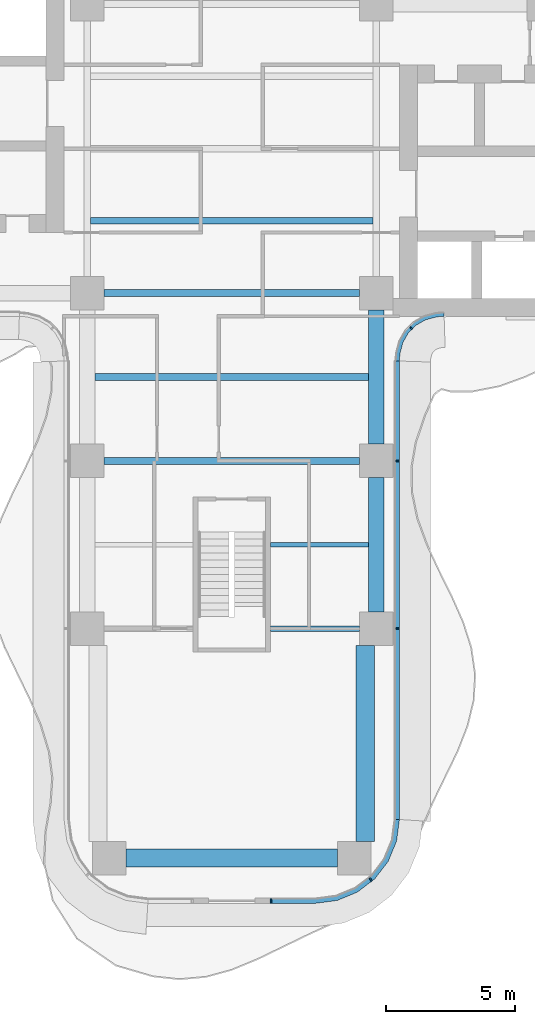
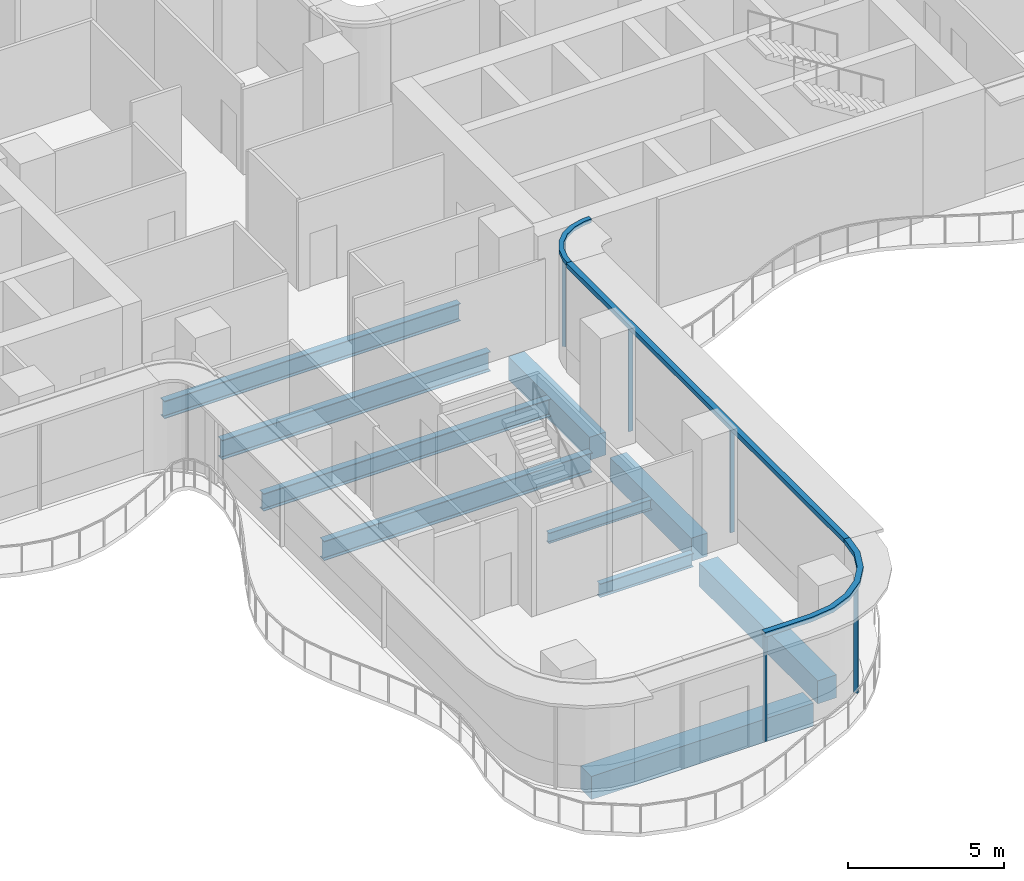
# One storey, part 5 of 21: 10 beams, 8 members, 3 elements without a shape of their own.
"""IFC4 building model written with IfcOpenShell, lengths in metres."""

from ifc_helpers import new_model, si_unit, direction, frame, origin, origin_2d, place, context, subcontext, project, spatial, polyline, rectangle, i_section, outline, extrude, source, transform, mapped, material, layer, layer_set, material_profile, profile_set, type_object, element, aggregate, save


model = new_model("IFC4")

# Units and contexts
model_context = context("Model", 3, precision=1e-05, world=origin(), true_north=direction((0.0, 1.0)))
body_context = subcontext(model_context, "Body", "Model", "MODEL_VIEW")
ifc_project = project(units=[si_unit("LENGTHUNIT", "METRE"), si_unit("AREAUNIT", "SQUARE_METRE"), si_unit("VOLUMEUNIT", "CUBIC_METRE"), si_unit("PLANEANGLEUNIT", "RADIAN"), si_unit("MASSUNIT", "GRAM", prefix="KILO")], contexts=[model_context])

# Site, building, storey
site_placement = place(None, origin())
site = spatial("IfcSite", under=ifc_project, at=site_placement, CompositionType="ELEMENT")
building_placement = place(site_placement, origin())
building = spatial("IfcBuilding", under=site, at=building_placement, Name="Trellis Farm Tower", CompositionType="ELEMENT")
storey_placement = place(building_placement, frame((0.0, 0.0, 102.0)))
storey = spatial("IfcBuildingStorey", under=building, at=storey_placement, Name="L21", CompositionType="ELEMENT", Elevation=102.0)

# Beams
ifc_material_1 = material(Name="Steel S355", Category="steel")
ifc_material_profile_1 = material_profile(ifc_material_1, i_section(OverallWidth=0.253662109375, OverallDepth=0.68359375, WebThickness=0.012451171875, FlangeThickness=0.021728515625, FilletRadius=0.01513671875, at=origin_2d()), Name="UB 686x254x140")
ifc_profile_set_1 = profile_set([ifc_material_profile_1], Name="Steel S355")
beam_type_1 = type_object("IfcBeamType", Name="UB 686x254x140 joist", PredefinedType="JOIST", material=ifc_profile_set_1)
shared_shape_1 = source(origin(), body_context, "Body", "SweptSolid", [
    extrude(i_section(OverallWidth=0.253662109375, OverallDepth=0.68359375, WebThickness=0.012451171875, FlangeThickness=0.021728515625, FilletRadius=0.01513671875, at=origin_2d()), origin(), (0.0, 0.0, 1.0), 10.93310546875),
])
beam_1_placement = place(storey_placement, frame((-5.466552734375, -2.800048828125, -0.591796875), z_axis=(1.0, 0.0, 0.0), x_axis=(0.0, 1.0, 0.0)))
element("IfcBeam", 1, at=beam_1_placement, inside=storey, type_object=beam_type_1, Name="Floor beam", PredefinedType="JOIST", context=body_context, shape_type="MappedRepresentation", body=[
    mapped(shared_shape_1, transform((0.0, 0.0, 0.0))),
])
ifc_material_profile_2 = material_profile(ifc_material_1, i_section(OverallWidth=0.177978515625, OverallDepth=0.406494140625, WebThickness=0.0078125, FlangeThickness=0.0126953125, FilletRadius=0.01025390625, at=origin_2d()), Name="UB 406x178x60")
ifc_profile_set_2 = profile_set([ifc_material_profile_2], Name="Steel S355")
beam_type_2 = type_object("IfcBeamType", Name="UB 406x178x60 joist", PredefinedType="JOIST", material=ifc_profile_set_2)
shared_shape_2 = source(origin(), body_context, "Body", "SweptSolid", [
    extrude(i_section(OverallWidth=0.177978515625, OverallDepth=0.406494140625, WebThickness=0.0078125, FlangeThickness=0.0126953125, FilletRadius=0.01025390625, at=origin_2d()), origin(), (0.0, 0.0, 1.0), 3.800048828125),
])
beam_2_placement = place(storey_placement, frame((1.5, -15.35009765625, -0.453125), z_axis=(1.0, 0.0, 0.0), x_axis=(0.0, 1.0, 0.0)))
element("IfcBeam", 2, at=beam_2_placement, inside=storey, type_object=beam_type_2, Name="Floor beam", PredefinedType="JOIST", context=body_context, shape_type="MappedRepresentation", body=[
    mapped(shared_shape_2, transform((0.0, 0.0, 0.0))),
])
shared_shape_3 = source(origin(), body_context, "Body", "SweptSolid", [
    extrude(i_section(OverallWidth=0.253662109375, OverallDepth=0.68359375, WebThickness=0.012451171875, FlangeThickness=0.021728515625, FilletRadius=0.01513671875, at=origin_2d()), origin(), (0.0, 0.0, 1.0), 10.60009765625),
])
beam_3_placement = place(storey_placement, frame((-5.300048828125, -8.85009765625, -0.591796875), z_axis=(1.0, 0.0, 0.0), x_axis=(0.0, 1.0, 0.0)))
element("IfcBeam", 3, at=beam_3_placement, inside=storey, type_object=beam_type_1, Name="Floor beam", PredefinedType="JOIST", context=body_context, shape_type="MappedRepresentation", body=[
    mapped(shared_shape_3, transform((0.0, 0.0, 0.0))),
])
ifc_material_profile_3 = material_profile(ifc_material_1, i_section(OverallWidth=0.209228515625, OverallDepth=0.533203125, WebThickness=0.010009765625, FlangeThickness=0.015625, FilletRadius=0.0126953125, at=origin_2d()), Name="UB 533x210x92")
ifc_profile_set_3 = profile_set([ifc_material_profile_3], Name="Steel S355")
beam_type_3 = type_object("IfcBeamType", Name="UB 533x210x92", PredefinedType="BEAM", material=ifc_profile_set_3)
shared_shape_4 = source(origin(), body_context, "Body", "SweptSolid", [
    extrude(i_section(OverallWidth=0.209228515625, OverallDepth=0.533203125, WebThickness=0.010009765625, FlangeThickness=0.015625, FilletRadius=0.0126953125, at=origin_2d()), origin(), (0.0, 0.0, 1.0), 3.449951171875),
])
beam_4_placement = place(storey_placement, frame((1.5, -18.60009765625, -0.5166015625), z_axis=(1.0, 0.0, 0.0), x_axis=(0.0, 1.0, 0.0)))
element("IfcBeam", 4, at=beam_4_placement, inside=storey, type_object=beam_type_3, Name="Girder", PredefinedType="BEAM", context=body_context, shape_type="MappedRepresentation", body=[
    mapped(shared_shape_4, transform((0.0, 0.0, 0.0))),
])
ifc_material_profile_4 = material_profile(ifc_material_1, i_section(OverallWidth=0.2666015625, OverallDepth=0.76220703125, WebThickness=0.014404296875, FlangeThickness=0.021484375, FilletRadius=0.0166015625, at=origin_2d()), Name="UB 762x267x173")
ifc_profile_set_4 = profile_set([ifc_material_profile_4], Name="Steel S355")
beam_type_4 = type_object("IfcBeamType", Name="UB 762x267x173", PredefinedType="BEAM", material=ifc_profile_set_4)
shared_shape_5 = source(origin(), body_context, "Body", "SweptSolid", [
    extrude(i_section(OverallWidth=0.2666015625, OverallDepth=0.76220703125, WebThickness=0.014404296875, FlangeThickness=0.021484375, FilletRadius=0.0166015625, at=origin_2d()), origin(), (0.0, 0.0, 1.0), 9.89990234375),
])
for number, where, z_axis, x_axis, name in (
    (5, (-4.949951171875, -12.10009765625, -0.631103515625), (1.0, 0.0, 0.0), (0.0, 1.0, 0.0), "Girder"),
    (6, (-4.949951171875, -5.60009765625, -0.631103515625), (1.0, 0.0, 0.0), (0.0, 1.0, 0.0), "Girder"),
):
    element("IfcBeam", number, at=place(storey_placement, frame(where, z_axis=z_axis, x_axis=x_axis)), inside=storey, type_object=beam_type_4, Name=name, PredefinedType="BEAM", context=body_context, shape_type="MappedRepresentation", body=[
        mapped(shared_shape_5, transform((0.0, 0.0, 0.0))),
    ])
ifc_material_2 = material(Name="Concrete C60/75", Category="concrete")
ifc_material_profile_5 = material_profile(ifc_material_2, rectangle(XDim=0.60009765625, YDim=0.89990234375, at=origin_2d()), Name="RC spandrel beam 600x900 C60/75")
ifc_profile_set_5 = profile_set([ifc_material_profile_5], Name="Concrete C60/75")
beam_type_5 = type_object("IfcBeamType", Name="RC spandrel beam 600x900 C60/75", PredefinedType="SPANDREL", material=ifc_profile_set_5)
shared_shape_6 = source(origin(), body_context, "Body", "SweptSolid", [
    extrude(rectangle(XDim=0.60009765625, YDim=0.89990234375, at=origin_2d()), origin(), (0.0, 0.0, 1.0), 5.199951171875),
])
for number, where, z_axis, x_axis, name in (
    (7, (5.60009765625, -17.949951171875, -0.699951171875), (0.0, 1.0, 0.0), (-1.0, 0.0, 0.0), "Girder"),
    (8, (5.60009765625, -11.449951171875, -0.699951171875), (0.0, 1.0, 0.0), (-1.0, 0.0, 0.0), "Girder"),
):
    element("IfcBeam", number, at=place(storey_placement, frame(where, z_axis=z_axis, x_axis=x_axis)), inside=storey, type_object=beam_type_5, Name=name, PredefinedType="SPANDREL", context=body_context, shape_type="MappedRepresentation", body=[
        mapped(shared_shape_6, transform((0.0, 0.0, 0.0))),
    ])
ifc_material_profile_6 = material_profile(ifc_material_2, rectangle(XDim=0.699951171875, YDim=0.89990234375, at=origin_2d()), Name="RC spandrel beam 700x900 C60/75")
ifc_profile_set_6 = profile_set([ifc_material_profile_6], Name="Concrete C60/75")
beam_type_6 = type_object("IfcBeamType", Name="RC spandrel beam 700x900 C60/75", PredefinedType="SPANDREL", material=ifc_profile_set_6)
shared_shape_7 = source(origin(), body_context, "Body", "SweptSolid", [
    extrude(rectangle(XDim=0.699951171875, YDim=0.89990234375, at=origin_2d()), origin(), (0.0, 0.0, 1.0), 8.2001953125),
])
beam_5_placement = place(storey_placement, frame((-4.10009765625, -27.5, -0.699951171875), z_axis=(1.0, 0.0, 0.0), x_axis=(0.0, 1.0, 0.0)))
element("IfcBeam", 9, at=beam_5_placement, inside=storey, type_object=beam_type_6, Name="Girder", PredefinedType="SPANDREL", context=body_context, shape_type="MappedRepresentation", body=[
    mapped(shared_shape_7, transform((0.0, 0.0, 0.0))),
])
shared_shape_8 = source(origin(), body_context, "Body", "SweptSolid", [
    extrude(rectangle(XDim=0.699951171875, YDim=0.89990234375, at=origin_2d()), origin(), (0.0, 0.0, 1.0), 7.60009765625),
])
beam_6_placement = place(storey_placement, frame((5.175048828125, -26.85009765625, -0.699951171875), z_axis=(0.0, 1.0, 0.0), x_axis=(-1.0, 0.0, 0.0)))
element("IfcBeam", 10, at=beam_6_placement, inside=storey, type_object=beam_type_6, Name="Girder", PredefinedType="SPANDREL", context=body_context, shape_type="MappedRepresentation", body=[
    mapped(shared_shape_8, transform((0.0, 0.0, 0.0))),
])

# Curtain wall, members
ifc_material_3 = material(Name="Aluminium and glass curtain wall", Category="aluminium")
ifc_layer_1 = layer(ifc_material_3, 0.18994140625)
ifc_layer_set_1 = layer_set([ifc_layer_1], Name="RIBBON CURTAIN WALL CW1")
curtain_wall_type_1 = type_object("IfcCurtainWallType", Name="RIBBON CURTAIN WALL CW1", PredefinedType="NOTDEFINED", material=ifc_layer_set_1)
placement_1 = place(storey_placement, origin())
curtain_wall_1 = element("IfcCurtainWall", 11, at=placement_1, inside=storey, type_object=curtain_wall_type_1, Name="CW1 004", PredefinedType="NOTDEFINED")
ifc_material_4 = material(Name="Aluminium extrusion 6063-T6", Category="aluminium")
ifc_material_profile_7 = material_profile(ifc_material_4, rectangle(XDim=0.06005859375, YDim=0.14990234375, at=origin_2d()), Name="MULLION 60x150")
ifc_profile_set_7 = profile_set([ifc_material_profile_7], Name="Aluminium extrusion 6063-T6")
member_type_1 = type_object("IfcMemberType", Name="CW1 MULLION 60x150", PredefinedType="MULLION", material=ifc_profile_set_7)
shared_shape_9 = source(origin(), body_context, "Body", "SweptSolid", [
    extrude(rectangle(XDim=0.06005859375, YDim=0.14990234375, at=origin_2d()), origin(), (0.0, 0.0, 1.0), 4.070068359375),
])
member_1_placement = place(storey_placement, frame((1.530029296875, -29.175048828125, 0.0), z_axis=(0.0, 0.0, 1.0), x_axis=(1.0, 0.0, 0.0)))
member_1 = element("IfcMember", 12, at=member_1_placement, type_object=member_type_1, Name="MU1 004-01", PredefinedType="MULLION", context=body_context, shape_type="MappedRepresentation", body=[
    mapped(shared_shape_9, transform((0.0, 0.0, 0.0))),
])
member_2_placement = place(storey_placement, frame((5.385498046875, -28.328369140625, 0.0), z_axis=(0.0, 0.0, 1.0), x_axis=(0.793353340291, 0.608761429009, 0.0)))
member_2 = element("IfcMember", 13, at=member_2_placement, type_object=member_type_1, Name="MU1 004-02", PredefinedType="MULLION", context=body_context, shape_type="MappedRepresentation", body=[
    mapped(shared_shape_9, transform((0.0, 0.0, 0.0))),
])

curtain_wall_2 = element("IfcCurtainWall", 14, at=placement_1, inside=storey, type_object=curtain_wall_type_1, Name="CW1 005", PredefinedType="NOTDEFINED")
member_3_placement = place(storey_placement, frame((6.425048828125, -18.60009765625, 0.0), z_axis=(0.0, 0.0, 1.0), x_axis=(0.0, 1.0, 0.0)))
member_3 = element("IfcMember", 15, at=member_3_placement, type_object=member_type_1, Name="MU1 005-01", PredefinedType="MULLION", context=body_context, shape_type="MappedRepresentation", body=[
    mapped(shared_shape_9, transform((0.0, 0.0, 0.0))),
])
member_4_placement = place(storey_placement, frame((6.425048828125, -12.10009765625, 0.0), z_axis=(0.0, 0.0, 1.0), x_axis=(0.0, 1.0, 0.0)))
member_4 = element("IfcMember", 16, at=member_4_placement, type_object=member_type_1, Name="MU1 005-02", PredefinedType="MULLION", context=body_context, shape_type="MappedRepresentation", body=[
    mapped(shared_shape_9, transform((0.0, 0.0, 0.0))),
])

# Curtain wall, member
ifc_layer_2 = layer(ifc_material_3, 0.166015625)
ifc_layer_set_2 = layer_set([ifc_layer_2], Name="WINTER GARDEN CURTAIN WALL CW3")
curtain_wall_type_2 = type_object("IfcCurtainWallType", Name="WINTER GARDEN CURTAIN WALL CW3", PredefinedType="NOTDEFINED", material=ifc_layer_set_2)
curtain_wall_3 = element("IfcCurtainWall", 17, at=placement_1, inside=storey, type_object=curtain_wall_type_2, Name="CW3 002", PredefinedType="NOTDEFINED")
ifc_material_profile_8 = material_profile(ifc_material_4, rectangle(XDim=0.050048828125, YDim=0.1201171875, at=origin_2d()), Name="MULLION 50x120")
ifc_profile_set_8 = profile_set([ifc_material_profile_8], Name="Aluminium extrusion 6063-T6")
member_type_2 = type_object("IfcMemberType", Name="CW3 MULLION 50x120", PredefinedType="MULLION", material=ifc_profile_set_8)
shared_shape_10 = source(origin(), body_context, "Body", "SweptSolid", [
    extrude(rectangle(XDim=0.050048828125, YDim=0.1201171875, at=origin_2d()), origin(), (0.0, 0.0, 1.0), 4.10009765625),
])
member_5_placement = place(storey_placement, frame((6.953125, -6.953125, 0.0), z_axis=(0.0, 0.0, 1.0), x_axis=(0.707106781187, 0.707106781187, 0.0)))
member_5 = element("IfcMember", 18, at=member_5_placement, type_object=member_type_2, Name="MU3 002-01", PredefinedType="MULLION", context=body_context, shape_type="MappedRepresentation", body=[
    mapped(shared_shape_10, transform((0.0, 0.0, 0.0))),
])

# Member
ifc_layer_3 = layer(ifc_material_4, 0.199951171875)
ifc_layer_set_3 = layer_set([ifc_layer_3], Name="Aluminium extrusion 6063-T6")
member_type_3 = type_object("IfcMemberType", Name="CW1 TRANSOM 200x180", PredefinedType="USERDEFINED", material=ifc_layer_set_3)
shared_shape_11 = source(origin(), body_context, "Body", "SweptSolid", [
    extrude(outline(polyline([(6.5, -26.0), (6.5, -8.2314453125), (6.300048828125, -8.224853515625), (6.300048828125, -25.98681640625), (6.5, -26.0)])), origin(), (0.0, 0.0, 1.0), 0.179931640625),
])
placement_2 = place(storey_placement, frame((0.0, 0.0, 4.070068359375)))
member_6 = element("IfcMember", 19, at=placement_2, type_object=member_type_3, Name="TR1 005", ObjectType="TRANSOM", PredefinedType="USERDEFINED", context=body_context, shape_type="MappedRepresentation", body=[
    mapped(shared_shape_11, transform((0.0, 0.0, 0.0))),
])

aggregate(curtain_wall_2, [member_3, member_4, member_6])

ifc_layer_4 = layer(ifc_material_4, 0.169921875)
ifc_layer_set_4 = layer_set([ifc_layer_4], Name="Aluminium extrusion 6063-T6")
member_type_4 = type_object("IfcMemberType", Name="CW3 TRANSOM 170x150", PredefinedType="USERDEFINED", material=ifc_layer_set_4)
shared_shape_12 = source(origin(), body_context, "Body", "SweptSolid", [
    extrude(outline(polyline([(6.5, -8.2314453125), (6.513916015625, -8.01953125), (6.527587890625, -7.91552734375), (6.63671875, -7.508544921875), (6.846923828125, -7.144287109375), (7.144287109375, -6.846923828125), (7.508544921875, -6.63671875), (7.91552734375, -6.527587890625), (8.01953125, -6.513916015625), (8.2314453125, -6.5), (8.225830078125, -6.330078125), (8.0029296875, -6.3447265625), (7.88232421875, -6.360595703125), (7.44287109375, -6.478271484375), (7.0400390625, -6.7109375), (6.7109375, -7.0400390625), (6.478271484375, -7.44287109375), (6.360595703125, -7.88232421875), (6.3447265625, -8.0029296875), (6.330078125, -8.225830078125), (6.5, -8.2314453125)])), origin(), (0.0, 0.0, 1.0), 0.14990234375),
])
member_7_placement = place(storey_placement, frame((0.0, 0.0, 4.10009765625)))
member_7 = element("IfcMember", 20, at=member_7_placement, type_object=member_type_4, Name="TR3 002", ObjectType="TRANSOM", PredefinedType="USERDEFINED", context=body_context, shape_type="MappedRepresentation", body=[
    mapped(shared_shape_12, transform((0.0, 0.0, 0.0))),
])

aggregate(curtain_wall_3, [member_5, member_7])

shared_shape_13 = source(origin(), body_context, "Body", "SweptSolid", [
    extrude(outline(polyline([(1.5, -29.25), (3.25, -29.25), (4.091064453125, -29.13916015625), (4.875, -28.814697265625), (5.548095703125, -28.298095703125), (6.064697265625, -27.625), (6.38916015625, -26.841064453125), (6.5, -26.0), (6.300048828125, -25.98681640625), (6.1943359375, -26.7890625), (5.889892578125, -27.524169921875), (5.405517578125, -28.155517578125), (4.774169921875, -28.639892578125), (4.0390625, -28.9443359375), (3.23681640625, -29.050048828125), (1.5, -29.050048828125), (1.5, -29.25)])), origin(), (0.0, 0.0, 1.0), 0.179931640625),
])
member_8 = element("IfcMember", 21, at=placement_2, type_object=member_type_3, Name="TR1 004", ObjectType="TRANSOM", PredefinedType="USERDEFINED", context=body_context, shape_type="MappedRepresentation", body=[
    mapped(shared_shape_13, transform((0.0, 0.0, 0.0))),
])

aggregate(curtain_wall_1, [member_1, member_2, member_8])

save(model, "model.ifc")
